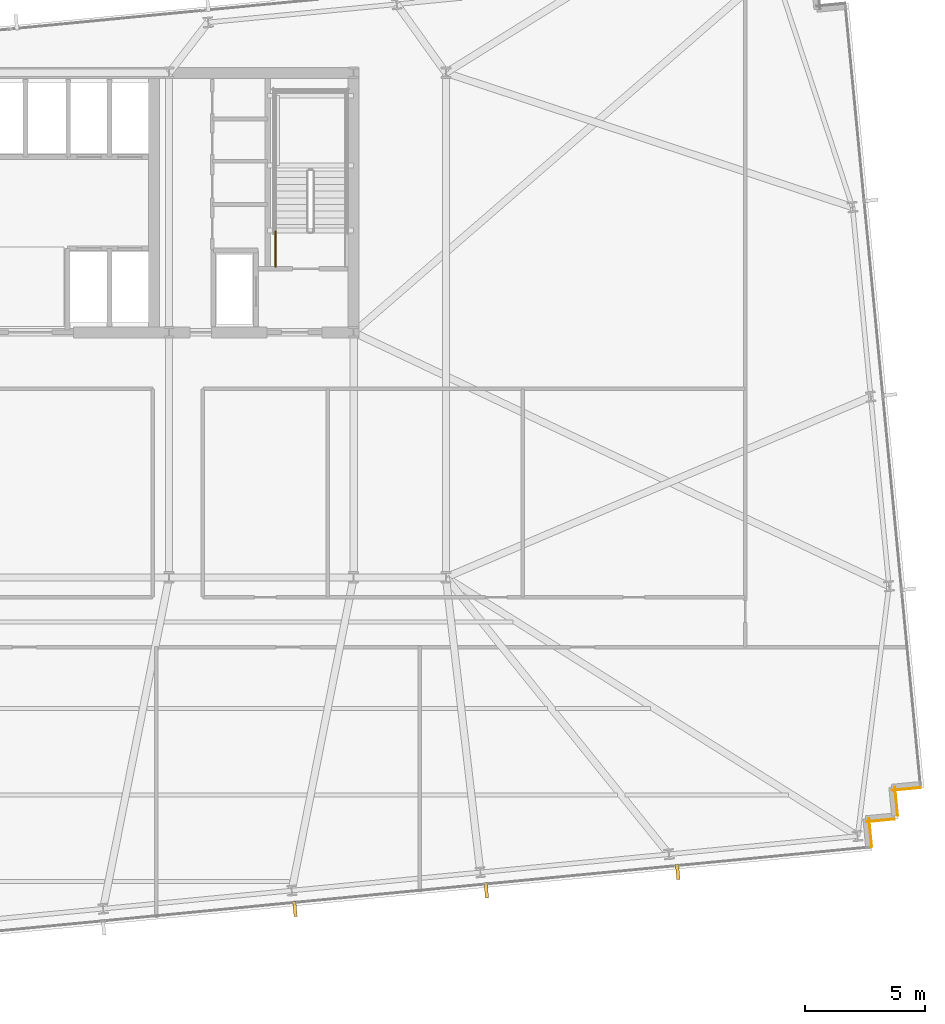
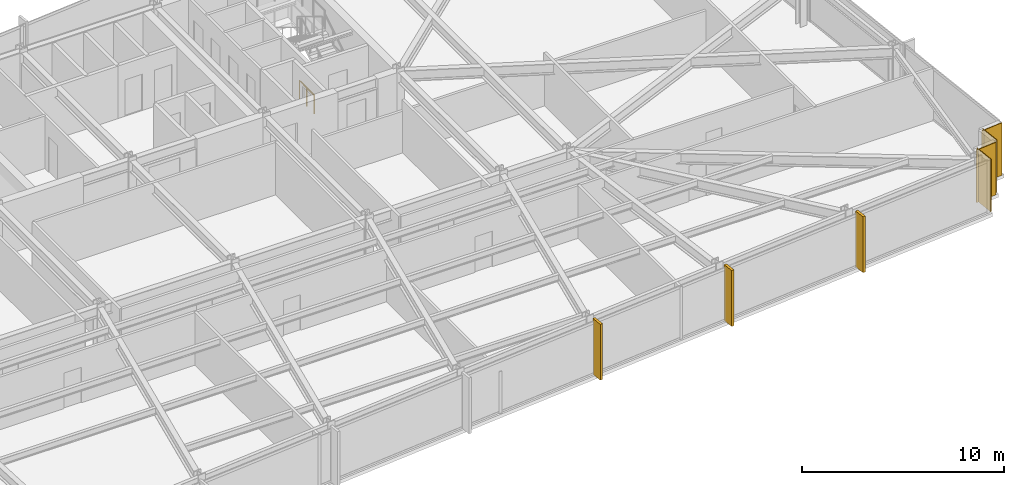
# One storey, part 29 of 32: 4 coverings, 3 shading devices, 1 railing.
"""IFC4 building model written with IfcOpenShell, lengths in metres."""

from ifc_helpers import new_model, si_unit, direction, frame, frame_2d, origin, origin_2d, place, context, subcontext, project, spatial, rectangle, circle, extrude, material, layer, layer_set, type_object, element, save


model = new_model("IFC4")

# Units and contexts
model_context = context("Model", 3, precision=1e-05, world=origin(), true_north=direction((0.0, 1.0)))
body_context = subcontext(model_context, "Body", "Model", "MODEL_VIEW")
ifc_project = project(units=[si_unit("LENGTHUNIT", "METRE"), si_unit("AREAUNIT", "SQUARE_METRE"), si_unit("VOLUMEUNIT", "CUBIC_METRE"), si_unit("PLANEANGLEUNIT", "RADIAN"), si_unit("MASSUNIT", "GRAM", prefix="KILO")], contexts=[model_context])

# Site, building, storey
site_placement = place(None, origin())
site = spatial("IfcSite", under=ifc_project, at=site_placement, CompositionType="ELEMENT")
building_placement = place(site_placement, origin())
building = spatial("IfcBuilding", under=site, at=building_placement, Name="Yelkora Congress Tower", CompositionType="ELEMENT")
storey_placement = place(building_placement, frame((0.0, 0.0, 96.5)))
storey = spatial("IfcBuildingStorey", under=building, at=storey_placement, Name="L25", CompositionType="ELEMENT", Elevation=96.5)

# Coverings
ifc_material_1 = material(Name="Anatolian bush-hammered limestone", Category="masonry")
ifc_layer_1 = layer(ifc_material_1, 0.0400390625)
ifc_layer_set_1 = layer_set([ifc_layer_1], Name="Anatolian bush-hammered limestone")
covering_type = type_object("IfcCoveringType", Name="COV-CLAD-SPANDREL-40", PredefinedType="CLADDING", material=ifc_layer_set_1)
for number, where, z_axis, x_axis, name in (
    (1, (77.360595703125, 16.451416015625, 0.0), (0.0, 0.0, 1.0), (-0.995377661201, -0.096038073607, 0.0), "L25 Anatolian Limestone Cladding EW-L25-SR16"),
    (2, (76.28759765625, 16.483642578125, 0.0), (0.0, 0.0, 1.0), (0.095836473879, -0.995397091755, 0.0), "L25 Anatolian Limestone Cladding EW-L25-SR17"),
    (3, (76.28125, 15.141845703125, 0.0), (0.0, 0.0, 1.0), (-0.995397091755, -0.095836473879, 0.0), "L25 Anatolian Limestone Cladding EW-L25-SR18"),
):
    element("IfcCovering", number, at=place(storey_placement, frame(where, z_axis=z_axis, x_axis=x_axis)), inside=storey, type_object=covering_type, Name=name, PredefinedType="CLADDING", context=body_context, shape_type="SweptSolid", body=[
        extrude(rectangle(XDim=1.199951171875, YDim=0.0400390625, at=frame_2d((0.60009765625, 0.0))), origin(), (0.0, 0.0, 1.0), 3.179931640625),
    ])
covering_placement = place(storey_placement, frame((75.208251953125, 15.17431640625, 0.0), z_axis=(0.0, 0.0, 1.0), x_axis=(0.095817067274, -0.995398960025, 0.0)))
element("IfcCovering", 4, at=covering_placement, inside=storey, type_object=covering_type, Name="L25 Anatolian Limestone Cladding EW-L25-SR19", PredefinedType="CLADDING", context=body_context, shape_type="SweptSolid", body=[
    extrude(rectangle(XDim=1.2001953125, YDim=0.0400390625, at=frame_2d((0.60009765625, 0.0))), origin(), (0.0, 0.0, 1.0), 3.179931640625),
])

# Railing
ifc_material_2 = material(Name="Painted galvanised steel stair well guard with vertical infill", Category="steel")
ifc_layer_2 = layer(ifc_material_2, 0.06005859375)
ifc_layer_set_2 = layer_set([ifc_layer_2], Name="Painted galvanised steel stair well guard with vertical infill")
railing_type = type_object("IfcRailingType", Name="RAIL-STAIR-GUARD-1120", PredefinedType="GUARDRAIL", material=ifc_layer_set_2)
railing_placement = place(storey_placement, frame((50.510009765625, 38.1201171875, 0.0)))
element("IfcRailing", 5, at=railing_placement, inside=storey, type_object=railing_type, Name="ST-02 L25 Stair Well Guardrail 9", PredefinedType="GUARDRAIL", context=body_context, shape_type="SweptSolid", body=[
    extrude(circle(Radius=0.02392578125, at=origin_2d()), frame((0.0, 0.0, 1.09619140625), z_axis=(0.0, 1.0, 0.0), x_axis=(-1.0, 0.0, 0.0)), (0.0, 0.0, 1.0), 1.47998046875),
    extrude(circle(Radius=0.02099609375, at=origin_2d()), origin(), (0.0, 0.0, 1.0), 1.072021484375),
    extrude(circle(Radius=0.02099609375, at=origin_2d()), frame((0.0, 0.739990234375, 0.0)), (0.0, 0.0, 1.0), 1.072021484375),
    extrude(circle(Radius=0.02099609375, at=origin_2d()), frame((0.0, 1.47998046875, 0.0)), (0.0, 0.0, 1.0), 1.072021484375),
])

# Shading devices
ifc_material_3 = material(Name="Champagne anodised aluminium", Category="aluminium")
ifc_layer_3 = layer(ifc_material_3, 3.39990234375)
ifc_layer_set_3 = layer_set([ifc_layer_3], Name="Champagne anodised aluminium")
shading_device_type = type_object("IfcShadingDeviceType", Name="SHD-FIN-ALU-640", PredefinedType="USERDEFINED", material=ifc_layer_set_3)
for number, where, z_axis, x_axis, name in (
    (6, (67.247802734375, 12.94091796875, -0.030029296875), (0.0, 0.0, 1.0), (-0.995396198367, -0.09584575252, 0.0), "L25 Vertical Anodised Solar Fin 20-1"),
    (7, (59.28173828125, 12.173828125, -0.030029296875), (0.0, 0.0, 1.0), (-0.995396198367, -0.09584575252, 0.0), "L25 Vertical Anodised Solar Fin 20-2"),
    (8, (51.315673828125, 11.40673828125, -0.030029296875), (0.0, 0.0, 1.0), (-0.995396198367, -0.09584575252, 0.0), "L25 Vertical Anodised Solar Fin 20-3"),
):
    element("IfcShadingDevice", number, at=place(storey_placement, frame(where, z_axis=z_axis, x_axis=x_axis)), inside=storey, type_object=shading_device_type, Name=name, ObjectType="FIN", PredefinedType="USERDEFINED", context=body_context, shape_type="SweptSolid", body=[
        extrude(rectangle(XDim=0.139892578125, YDim=0.639892578125, at=origin_2d()), origin(), (0.0, 0.0, 1.0), 3.3798828125),
    ])

save(model, "model.ifc")
